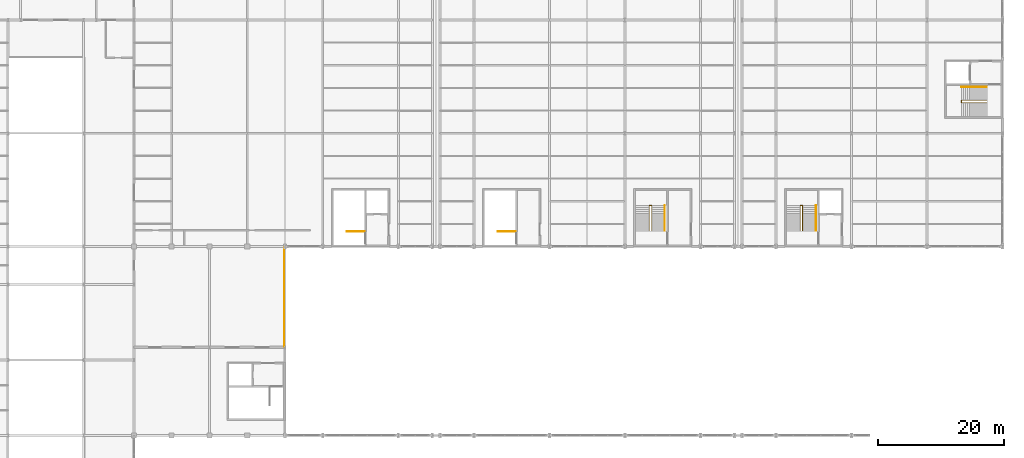
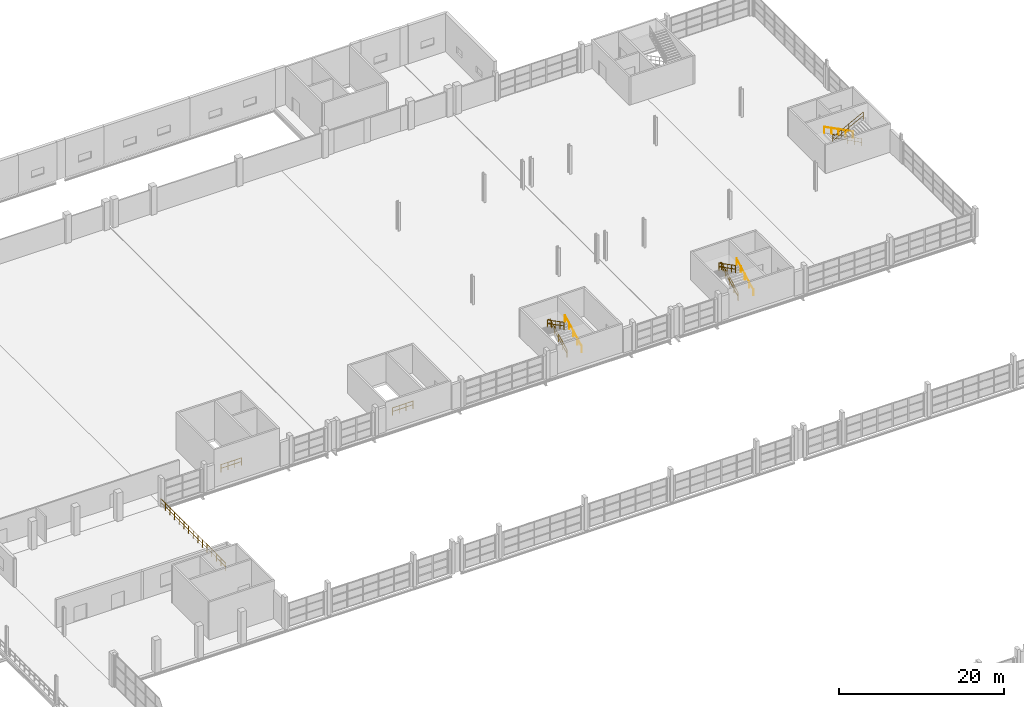
# One storey, part 145 of 147: 9 railings.
"""IFC4 building model written with IfcOpenShell, lengths in metres."""

from ifc_helpers import new_model, si_unit, direction, frame, origin, origin_2d, place, context, subcontext, project, spatial, circle, extrude, material, type_object, element, save


model = new_model("IFC4")

# Units and contexts
model_context = context("Model", 3, precision=1e-05, world=origin(), true_north=direction((0.0, 1.0)))
body_context = subcontext(model_context, "Body", "Model", "MODEL_VIEW")
ifc_project = project(units=[si_unit("LENGTHUNIT", "METRE"), si_unit("AREAUNIT", "SQUARE_METRE"), si_unit("VOLUMEUNIT", "CUBIC_METRE"), si_unit("PLANEANGLEUNIT", "RADIAN"), si_unit("MASSUNIT", "GRAM", prefix="KILO")], contexts=[model_context])

# Site, building, storey
site_placement = place(None, origin())
site = spatial("IfcSite", under=ifc_project, at=site_placement, CompositionType="ELEMENT")
building_placement = place(site_placement, origin())
building = spatial("IfcBuilding", under=site, at=building_placement, Name="Zilviju Railside Exhibition Hall", CompositionType="ELEMENT")
storey_placement = place(building_placement, frame((0.0, 0.0, 8.39990234375)))
storey = spatial("IfcBuildingStorey", under=building, at=storey_placement, Name="L03", CompositionType="ELEMENT", Elevation=8.39990234375)

# Railings
ifc_material_1 = material(Name="Wrought-iron Jugendstils terrace guardrail", Category="steel")
railing_type_1 = type_object("IfcRailingType", Name="RL-GUARD-1120", PredefinedType="GUARDRAIL", material=ifc_material_1)
railing_1_placement = place(storey_placement, frame((101.8798828125, 68.1201171875, 0.0)))
element("IfcRailing", 1, at=railing_1_placement, inside=storey, type_object=railing_type_1, Name="Water Court Terrace Planted Roof Garden Perimeter Guardrail", PredefinedType="GUARDRAIL", context=body_context, shape_type="SweptSolid", body=[
    extrude(circle(Radius=0.02392578125, at=origin_2d()), frame((0.0, 0.021728515625, 1.09619140625), z_axis=(0.0, 1.0, 0.0), x_axis=(-1.0, 0.0, 0.0)), (0.0, 0.0, 1.0), 15.716064453125),
    extrude(circle(Radius=0.02392578125, at=origin_2d()), frame((0.0, 0.021728515625, 0.56005859375), z_axis=(0.0, 1.0, 0.0), x_axis=(-1.0, 0.0, 0.0)), (0.0, 0.0, 1.0), 15.716064453125),
    extrude(circle(Radius=0.02099609375, at=origin_2d()), origin(), (0.0, 0.0, 1.0), 1.1201171875),
    extrude(circle(Radius=0.02099609375, at=origin_2d()), frame((0.0, 1.125732421875, 0.0)), (0.0, 0.0, 1.0), 1.1201171875),
    extrude(circle(Radius=0.02099609375, at=origin_2d()), frame((0.0, 2.25146484375, 0.0)), (0.0, 0.0, 1.0), 1.1201171875),
    extrude(circle(Radius=0.02099609375, at=origin_2d()), frame((0.0, 3.377197265625, 0.0)), (0.0, 0.0, 1.0), 1.1201171875),
    extrude(circle(Radius=0.02099609375, at=origin_2d()), frame((0.0, 4.502685546875, 0.0)), (0.0, 0.0, 1.0), 1.1201171875),
    extrude(circle(Radius=0.02099609375, at=origin_2d()), frame((0.0, 5.62841796875, 0.0)), (0.0, 0.0, 1.0), 1.1201171875),
    extrude(circle(Radius=0.02099609375, at=origin_2d()), frame((0.0, 6.754150390625, 0.0)), (0.0, 0.0, 1.0), 1.1201171875),
    extrude(circle(Radius=0.02099609375, at=origin_2d()), frame((0.0, 7.8798828125, 0.0)), (0.0, 0.0, 1.0), 1.1201171875),
    extrude(circle(Radius=0.02099609375, at=origin_2d()), frame((0.0, 9.005615234375, 0.0)), (0.0, 0.0, 1.0), 1.1201171875),
    extrude(circle(Radius=0.02099609375, at=origin_2d()), frame((0.0, 10.13134765625, 0.0)), (0.0, 0.0, 1.0), 1.1201171875),
    extrude(circle(Radius=0.02099609375, at=origin_2d()), frame((0.0, 11.257080078125, 0.0)), (0.0, 0.0, 1.0), 1.1201171875),
    extrude(circle(Radius=0.02099609375, at=origin_2d()), frame((0.0, 12.382568359375, 0.0)), (0.0, 0.0, 1.0), 1.1201171875),
    extrude(circle(Radius=0.02099609375, at=origin_2d()), frame((0.0, 13.50830078125, 0.0)), (0.0, 0.0, 1.0), 1.1201171875),
    extrude(circle(Radius=0.02099609375, at=origin_2d()), frame((0.0, 14.634033203125, 0.0)), (0.0, 0.0, 1.0), 1.1201171875),
    extrude(circle(Radius=0.02099609375, at=origin_2d()), frame((0.0, 15.759765625, 0.0)), (0.0, 0.0, 1.0), 1.1201171875),
])
ifc_material_2 = material(Name="Brushed bronze tubular stair handrail", Category="steel")
railing_type_2 = type_object("IfcRailingType", Name="RL-HANDRAIL-920", PredefinedType="HANDRAIL", material=ifc_material_2)
for number, where, name in (
    (2, (162.340087890625, 86.5, 0.0), "Core C06 North Hall Court MidE Stair Wall Handrail L03"),
    (3, (186.360107421875, 86.5, 0.0), "Core C07 North Hall Court East Stair Wall Handrail L03"),
):
    element("IfcRailing", number, at=place(storey_placement, frame(where)), inside=storey, type_object=railing_type_2, Name=name, PredefinedType="HANDRAIL", context=body_context, shape_type="SweptSolid", body=[
        extrude(circle(Radius=0.02392578125, at=origin_2d()), frame((0.0, 0.019287109375, 0.906005859375), z_axis=(0.0, 0.88681272381, 0.462128978628), x_axis=(-1.0, 0.0, 0.0)), (0.0, 0.0, 1.0), 4.500732421875),
        extrude(circle(Radius=0.02099609375, at=origin_2d()), origin(), (0.0, 0.0, 1.0), 0.919921875),
        extrude(circle(Radius=0.02099609375, at=origin_2d()), frame((0.0, 1.007568359375, 0.52490234375)), (0.0, 0.0, 1.0), 0.919921875),
        extrude(circle(Radius=0.02099609375, at=origin_2d()), frame((0.0, 2.01513671875, 1.050048828125)), (0.0, 0.0, 1.0), 0.919921875),
        extrude(circle(Radius=0.02099609375, at=origin_2d()), frame((0.0, 3.0224609375, 1.5751953125)), (0.0, 0.0, 1.0), 0.919921875),
        extrude(circle(Radius=0.02099609375, at=origin_2d()), frame((0.0, 4.030029296875, 2.10009765625)), (0.0, 0.0, 1.0), 0.919921875),
    ])
railing_2_placement = place(storey_placement, frame((213.5, 109.340087890625, 0.0)))
element("IfcRailing", 4, at=railing_2_placement, inside=storey, type_object=railing_type_2, Name="Core C09 North Hall Gable East Stair Wall Handrail L03", PredefinedType="HANDRAIL", context=body_context, shape_type="SweptSolid", body=[
    extrude(circle(Radius=0.02392578125, at=origin_2d()), frame((-0.019287109375, 0.0, 0.906005859375), z_axis=(-0.88681272381, 0.0, 0.462128978628), x_axis=(0.0, -1.0, 0.0)), (0.0, 0.0, 1.0), 4.500732421875),
    extrude(circle(Radius=0.02099609375, at=origin_2d()), origin(), (0.0, 0.0, 1.0), 0.919921875),
    extrude(circle(Radius=0.02099609375, at=origin_2d()), frame((-1.007568359375, 0.0, 0.52490234375)), (0.0, 0.0, 1.0), 0.919921875),
    extrude(circle(Radius=0.02099609375, at=origin_2d()), frame((-2.01513671875, 0.0, 1.050048828125)), (0.0, 0.0, 1.0), 0.919921875),
    extrude(circle(Radius=0.02099609375, at=origin_2d()), frame((-3.0224609375, 0.0, 1.5751953125)), (0.0, 0.0, 1.0), 0.919921875),
    extrude(circle(Radius=0.02099609375, at=origin_2d()), frame((-4.030029296875, 0.0, 2.10009765625)), (0.0, 0.0, 1.0), 0.919921875),
])
ifc_material_3 = material(Name="Wrought-iron and laminated-glass atrium guardrail", Category="glass")
railing_type_3 = type_object("IfcRailingType", Name="RL-INT-GUARD-1120", PredefinedType="GUARDRAIL", material=ifc_material_3)
for number, where, name in (
    (5, (111.800048828125, 86.419921875, 0.0), "Core C04 North Hall Court West Top-Landing Well Guardrail L03"),
    (6, (135.800048828125, 86.419921875, 0.0), "Core C05 North Hall Court MidW Top-Landing Well Guardrail L03"),
):
    element("IfcRailing", number, at=place(storey_placement, frame(where)), inside=storey, type_object=railing_type_3, Name=name, PredefinedType="GUARDRAIL", context=body_context, shape_type="SweptSolid", body=[
        extrude(circle(Radius=0.02392578125, at=origin_2d()), frame((0.021728515625, 0.0, 1.09619140625), z_axis=(1.0, 0.0, 0.0), x_axis=(0.0, 1.0, 0.0)), (0.0, 0.0, 1.0), 2.80615234375),
        extrude(circle(Radius=0.02392578125, at=origin_2d()), frame((0.021728515625, 0.0, 0.56005859375), z_axis=(1.0, 0.0, 0.0), x_axis=(0.0, 1.0, 0.0)), (0.0, 0.0, 1.0), 2.80615234375),
        extrude(circle(Radius=0.02099609375, at=origin_2d()), origin(), (0.0, 0.0, 1.0), 1.1201171875),
        extrude(circle(Radius=0.02099609375, at=origin_2d()), frame((0.949951171875, 0.0, 0.0)), (0.0, 0.0, 1.0), 1.1201171875),
        extrude(circle(Radius=0.02099609375, at=origin_2d()), frame((1.89990234375, 0.0, 0.0)), (0.0, 0.0, 1.0), 1.1201171875),
        extrude(circle(Radius=0.02099609375, at=origin_2d()), frame((2.849853515625, 0.0, 0.0)), (0.0, 0.0, 1.0), 1.1201171875),
    ])
railing_3_placement = place(storey_placement, frame((160.25, 86.5, 0.0)))
element("IfcRailing", 7, at=railing_3_placement, inside=storey, type_object=railing_type_3, Name="Core C06 North Hall Court MidE Stair Well Guardrail L03", PredefinedType="GUARDRAIL", context=body_context, shape_type="SweptSolid", body=[
    extrude(circle(Radius=0.02392578125, at=origin_2d()), frame((0.0, 0.019287109375, 1.106201171875), z_axis=(0.0, 0.88681272381, 0.462128978628), x_axis=(-1.0, 0.0, 0.0)), (0.0, 0.0, 1.0), 4.500732421875),
    extrude(circle(Radius=0.02392578125, at=origin_2d()), frame((0.0, 0.019287109375, 0.570068359375), z_axis=(0.0, 0.88681272381, 0.462128978628), x_axis=(-1.0, 0.0, 0.0)), (0.0, 0.0, 1.0), 4.500732421875),
    extrude(circle(Radius=0.02392578125, at=origin_2d()), frame((-0.021728515625, 4.030029296875, 3.1962890625), z_axis=(-1.0, 0.0, 0.0), x_axis=(0.0, -1.0, 0.0)), (0.0, 0.0, 1.0), 0.356201171875),
    extrude(circle(Radius=0.02392578125, at=origin_2d()), frame((-0.021728515625, 4.030029296875, 2.66015625), z_axis=(-1.0, 0.0, 0.0), x_axis=(0.0, -1.0, 0.0)), (0.0, 0.0, 1.0), 0.356201171875),
    extrude(circle(Radius=0.02392578125, at=origin_2d()), frame((-0.39990234375, 4.0107421875, 3.206298828125), z_axis=(0.0, -0.88681272381, 0.462128978628), x_axis=(1.0, 0.0, 0.0)), (0.0, 0.0, 1.0), 4.500732421875),
    extrude(circle(Radius=0.02392578125, at=origin_2d()), frame((-0.39990234375, 4.0107421875, 2.670166015625), z_axis=(0.0, -0.88681272381, 0.462128978628), x_axis=(1.0, 0.0, 0.0)), (0.0, 0.0, 1.0), 4.500732421875),
    extrude(circle(Radius=0.02099609375, at=origin_2d()), origin(), (0.0, 0.0, 1.0), 1.1201171875),
    extrude(circle(Radius=0.02099609375, at=origin_2d()), frame((0.0, 1.007568359375, 0.52490234375)), (0.0, 0.0, 1.0), 1.1201171875),
    extrude(circle(Radius=0.02099609375, at=origin_2d()), frame((0.0, 2.01513671875, 1.050048828125)), (0.0, 0.0, 1.0), 1.1201171875),
    extrude(circle(Radius=0.02099609375, at=origin_2d()), frame((0.0, 3.0224609375, 1.5751953125)), (0.0, 0.0, 1.0), 1.1201171875),
    extrude(circle(Radius=0.02099609375, at=origin_2d()), frame((0.0, 4.030029296875, 2.10009765625)), (0.0, 0.0, 1.0), 1.1201171875),
    extrude(circle(Radius=0.02099609375, at=origin_2d()), frame((-0.39990234375, 4.030029296875, 2.10009765625)), (0.0, 0.0, 1.0), 1.1201171875),
    extrude(circle(Radius=0.02099609375, at=origin_2d()), frame((-0.39990234375, 3.0224609375, 2.625)), (0.0, 0.0, 1.0), 1.1201171875),
    extrude(circle(Radius=0.02099609375, at=origin_2d()), frame((-0.39990234375, 2.01513671875, 3.150146484375)), (0.0, 0.0, 1.0), 1.1201171875),
    extrude(circle(Radius=0.02099609375, at=origin_2d()), frame((-0.39990234375, 1.007568359375, 3.67529296875)), (0.0, 0.0, 1.0), 1.1201171875),
    extrude(circle(Radius=0.02099609375, at=origin_2d()), frame((-0.39990234375, 0.0, 4.2001953125)), (0.0, 0.0, 1.0), 1.1201171875),
])
railing_4_placement = place(storey_placement, frame((184.22998046875, 86.5, 0.0)))
element("IfcRailing", 8, at=railing_4_placement, inside=storey, type_object=railing_type_3, Name="Core C07 North Hall Court East Stair Well Guardrail L03", PredefinedType="GUARDRAIL", context=body_context, shape_type="SweptSolid", body=[
    extrude(circle(Radius=0.02392578125, at=origin_2d()), frame((0.0, 0.019287109375, 1.106201171875), z_axis=(0.0, 0.88681272381, 0.462128978628), x_axis=(-1.0, 0.0, 0.0)), (0.0, 0.0, 1.0), 4.500732421875),
    extrude(circle(Radius=0.02392578125, at=origin_2d()), frame((0.0, 0.019287109375, 0.570068359375), z_axis=(0.0, 0.88681272381, 0.462128978628), x_axis=(-1.0, 0.0, 0.0)), (0.0, 0.0, 1.0), 4.500732421875),
    extrude(circle(Radius=0.02392578125, at=origin_2d()), frame((-0.021728515625, 4.030029296875, 3.1962890625), z_axis=(-1.0, 0.0, 0.0), x_axis=(0.0, -1.0, 0.0)), (0.0, 0.0, 1.0), 0.316162109375),
    extrude(circle(Radius=0.02392578125, at=origin_2d()), frame((-0.021728515625, 4.030029296875, 2.66015625), z_axis=(-1.0, 0.0, 0.0), x_axis=(0.0, -1.0, 0.0)), (0.0, 0.0, 1.0), 0.316162109375),
    extrude(circle(Radius=0.02392578125, at=origin_2d()), frame((-0.35986328125, 4.0107421875, 3.206298828125), z_axis=(0.0, -0.88681272381, 0.462128978628), x_axis=(1.0, 0.0, 0.0)), (0.0, 0.0, 1.0), 4.500732421875),
    extrude(circle(Radius=0.02392578125, at=origin_2d()), frame((-0.35986328125, 4.0107421875, 2.670166015625), z_axis=(0.0, -0.88681272381, 0.462128978628), x_axis=(1.0, 0.0, 0.0)), (0.0, 0.0, 1.0), 4.500732421875),
    extrude(circle(Radius=0.02099609375, at=origin_2d()), origin(), (0.0, 0.0, 1.0), 1.1201171875),
    extrude(circle(Radius=0.02099609375, at=origin_2d()), frame((0.0, 1.007568359375, 0.52490234375)), (0.0, 0.0, 1.0), 1.1201171875),
    extrude(circle(Radius=0.02099609375, at=origin_2d()), frame((0.0, 2.01513671875, 1.050048828125)), (0.0, 0.0, 1.0), 1.1201171875),
    extrude(circle(Radius=0.02099609375, at=origin_2d()), frame((0.0, 3.0224609375, 1.5751953125)), (0.0, 0.0, 1.0), 1.1201171875),
    extrude(circle(Radius=0.02099609375, at=origin_2d()), frame((0.0, 4.030029296875, 2.10009765625)), (0.0, 0.0, 1.0), 1.1201171875),
    extrude(circle(Radius=0.02099609375, at=origin_2d()), frame((-0.35986328125, 4.030029296875, 2.10009765625)), (0.0, 0.0, 1.0), 1.1201171875),
    extrude(circle(Radius=0.02099609375, at=origin_2d()), frame((-0.35986328125, 3.0224609375, 2.625)), (0.0, 0.0, 1.0), 1.1201171875),
    extrude(circle(Radius=0.02099609375, at=origin_2d()), frame((-0.35986328125, 2.01513671875, 3.150146484375)), (0.0, 0.0, 1.0), 1.1201171875),
    extrude(circle(Radius=0.02099609375, at=origin_2d()), frame((-0.35986328125, 1.007568359375, 3.67529296875)), (0.0, 0.0, 1.0), 1.1201171875),
    extrude(circle(Radius=0.02099609375, at=origin_2d()), frame((-0.35986328125, 0.0, 4.2001953125)), (0.0, 0.0, 1.0), 1.1201171875),
])
railing_5_placement = place(storey_placement, frame((213.5, 107.25, 0.0)))
element("IfcRailing", 9, at=railing_5_placement, inside=storey, type_object=railing_type_3, Name="Core C09 North Hall Gable East Stair Well Guardrail L03", PredefinedType="GUARDRAIL", context=body_context, shape_type="SweptSolid", body=[
    extrude(circle(Radius=0.02392578125, at=origin_2d()), frame((-0.019287109375, 0.0, 1.106201171875), z_axis=(-0.88681272381, 0.0, 0.462128978628), x_axis=(0.0, -1.0, 0.0)), (0.0, 0.0, 1.0), 4.500732421875),
    extrude(circle(Radius=0.02392578125, at=origin_2d()), frame((-0.019287109375, 0.0, 0.570068359375), z_axis=(-0.88681272381, 0.0, 0.462128978628), x_axis=(0.0, -1.0, 0.0)), (0.0, 0.0, 1.0), 4.500732421875),
    extrude(circle(Radius=0.02392578125, at=origin_2d()), frame((-4.030029296875, -0.021728515625, 3.1962890625), z_axis=(0.0, -1.0, 0.0), x_axis=(1.0, 0.0, 0.0)), (0.0, 0.0, 1.0), 0.356201171875),
    extrude(circle(Radius=0.02392578125, at=origin_2d()), frame((-4.030029296875, -0.021728515625, 2.66015625), z_axis=(0.0, -1.0, 0.0), x_axis=(1.0, 0.0, 0.0)), (0.0, 0.0, 1.0), 0.356201171875),
    extrude(circle(Radius=0.02392578125, at=origin_2d()), frame((-4.0107421875, -0.39990234375, 3.206298828125), z_axis=(0.88681272381, 0.0, 0.462128978628), x_axis=(0.0, 1.0, 0.0)), (0.0, 0.0, 1.0), 4.500732421875),
    extrude(circle(Radius=0.02392578125, at=origin_2d()), frame((-4.0107421875, -0.39990234375, 2.670166015625), z_axis=(0.88681272381, 0.0, 0.462128978628), x_axis=(0.0, 1.0, 0.0)), (0.0, 0.0, 1.0), 4.500732421875),
    extrude(circle(Radius=0.02099609375, at=origin_2d()), origin(), (0.0, 0.0, 1.0), 1.1201171875),
    extrude(circle(Radius=0.02099609375, at=origin_2d()), frame((-1.007568359375, 0.0, 0.52490234375)), (0.0, 0.0, 1.0), 1.1201171875),
    extrude(circle(Radius=0.02099609375, at=origin_2d()), frame((-2.01513671875, 0.0, 1.050048828125)), (0.0, 0.0, 1.0), 1.1201171875),
    extrude(circle(Radius=0.02099609375, at=origin_2d()), frame((-3.0224609375, 0.0, 1.5751953125)), (0.0, 0.0, 1.0), 1.1201171875),
    extrude(circle(Radius=0.02099609375, at=origin_2d()), frame((-4.030029296875, 0.0, 2.10009765625)), (0.0, 0.0, 1.0), 1.1201171875),
    extrude(circle(Radius=0.02099609375, at=origin_2d()), frame((-4.030029296875, -0.39990234375, 2.10009765625)), (0.0, 0.0, 1.0), 1.1201171875),
    extrude(circle(Radius=0.02099609375, at=origin_2d()), frame((-3.0224609375, -0.39990234375, 2.625)), (0.0, 0.0, 1.0), 1.1201171875),
    extrude(circle(Radius=0.02099609375, at=origin_2d()), frame((-2.01513671875, -0.39990234375, 3.150146484375)), (0.0, 0.0, 1.0), 1.1201171875),
    extrude(circle(Radius=0.02099609375, at=origin_2d()), frame((-1.007568359375, -0.39990234375, 3.67529296875)), (0.0, 0.0, 1.0), 1.1201171875),
    extrude(circle(Radius=0.02099609375, at=origin_2d()), frame((0.0, -0.39990234375, 4.2001953125)), (0.0, 0.0, 1.0), 1.1201171875),
])

save(model, "model.ifc")
